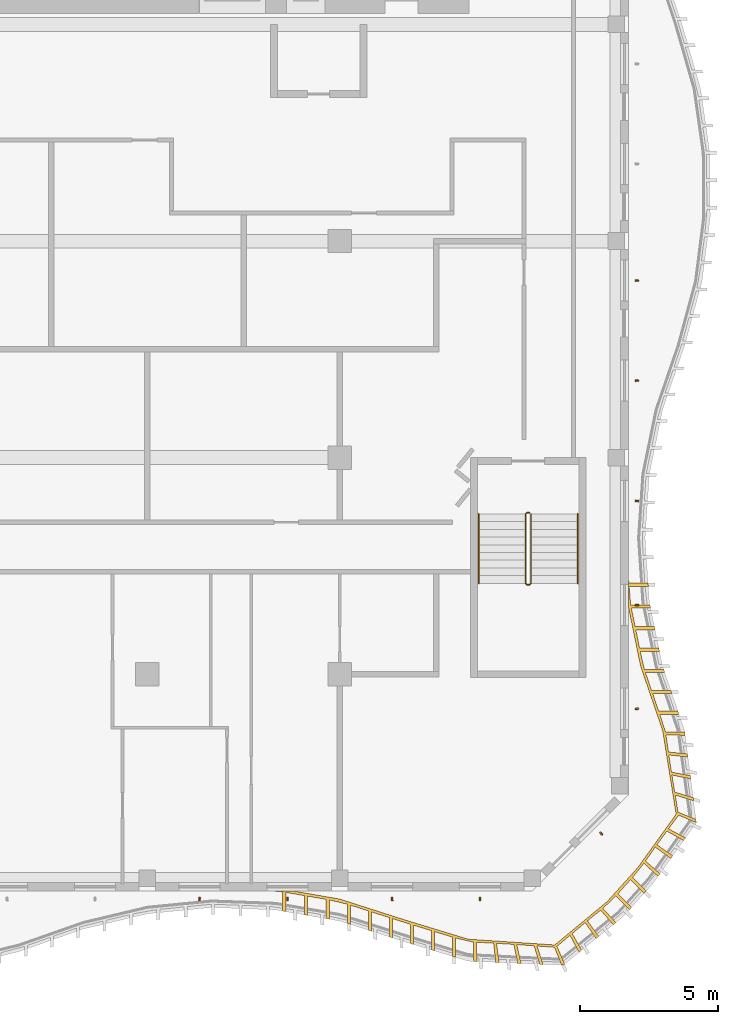
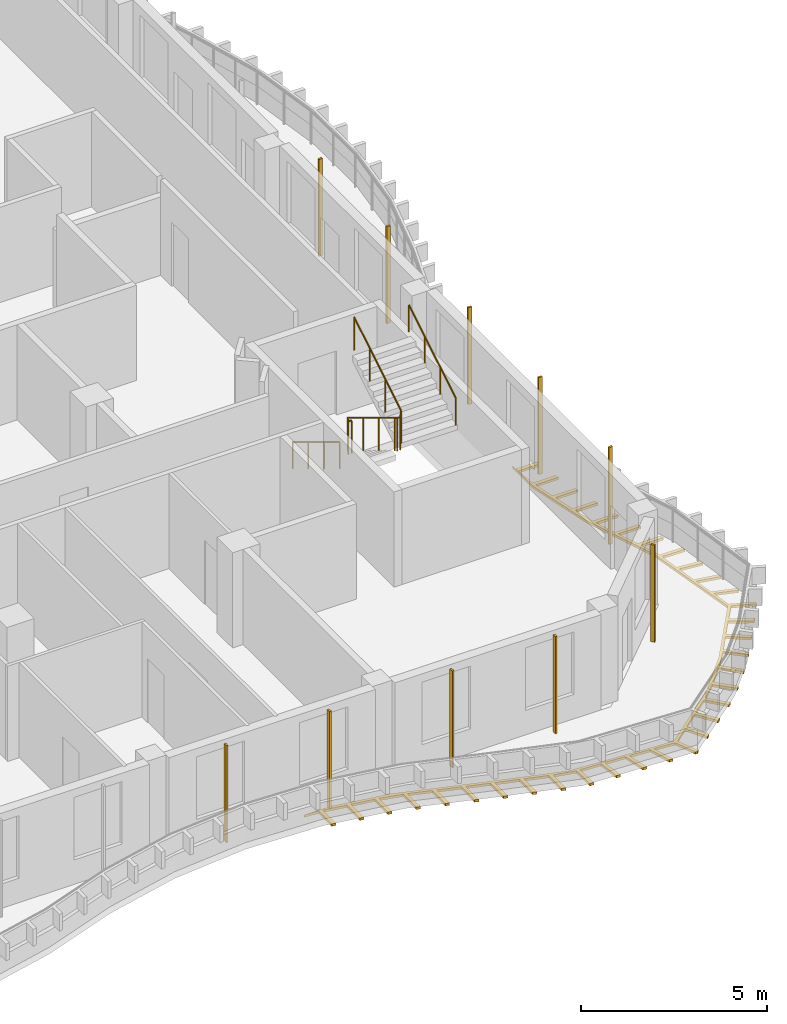
# One storey, part 14 of 17: 11 shading devices, 3 railings.
"""IFC4 building model written with IfcOpenShell, lengths in metres."""

import ifcopenshell
import ifcopenshell.guid

model = None  # the IFC model being written
_history = None  # IfcOwnerHistory: only IFC2X3 demands one
_inside = {}  # id of a spatial element -> (the spatial element, [elements in it])
_under = {}  # id of a project, library or spatial element -> (it, [spatial elements below it])
_declared = {}  # id of a project -> (the project, [libraries it declares])
_typed = {}  # id of a type object -> (the type object, [elements of that type])
_made_of = {}  # id of a material, layer set ... -> (it, [elements and type objects made of it])


def new_model(schema):
    """Start an empty IFC model of exactly this schema.

    Asked for "IFC4X3", IfcOpenShell would pick the latest addendum, in which some entities
    have other attributes; the version numbers below select the first issue.
    IFC2X3 requires an IfcOwnerHistory on every rooted entity: one is made here for all.
    """
    global model, _history
    if schema == "IFC4X3":
        model = ifcopenshell.file(schema_version=(4, 3, 0, 0))
    else:
        model = ifcopenshell.file(schema=schema)
    _inside.clear()
    _under.clear()
    _declared.clear()
    _typed.clear()
    _made_of.clear()
    _history = None
    if model.schema == "IFC2X3":
        org = make("IfcOrganization", Name="unknown")
        user = make(
            "IfcPersonAndOrganization",
            ThePerson=make("IfcPerson", FamilyName="unknown"),
            TheOrganization=org,
        )
        app = make(
            "IfcApplication",
            ApplicationDeveloper=org,
            Version="unknown",
            ApplicationFullName="unknown",
            ApplicationIdentifier="unknown",
        )
        _history = make(
            "IfcOwnerHistory",
            OwningUser=user,
            OwningApplication=app,
            ChangeAction="ADDED",
            CreationDate=0,
        )
    return model


def make(cls, **values):
    """One entity of the class cls with the attributes given. An attribute that is None is left unset."""
    return model.create_entity(
        cls, **{name: value for name, value in values.items() if value is not None}
    )


def rooted(cls, **values):
    """An entity with a GlobalId (a new one), such as an element, a storey or a relation."""
    return make(cls, GlobalId=ifcopenshell.guid.new(), OwnerHistory=_history, **values)


def si_unit(unit_type, name, prefix=None):
    """IfcSIUnit, for example si_unit("LENGTHUNIT", "METRE", prefix="MILLI")."""
    return make("IfcSIUnit", UnitType=unit_type, Prefix=prefix, Name=name)


def assignment(units):
    """IfcUnitAssignment: the units of a project."""
    return None if units is None else make("IfcUnitAssignment", Units=units)


def point(xyz):
    """IfcCartesianPoint."""
    return None if xyz is None else make("IfcCartesianPoint", Coordinates=xyz)


def direction(xyz):
    """IfcDirection."""
    return None if xyz is None else make("IfcDirection", DirectionRatios=xyz)


def frame(location, z_axis=None, x_axis=None):
    """IfcAxis2Placement3D, a coordinate frame: its origin and axes. An axis left out is left unset."""
    return make(
        "IfcAxis2Placement3D",
        Location=point(location),
        Axis=direction(z_axis),
        RefDirection=direction(x_axis),
    )


def frame_2d(location, x_axis=None):
    """IfcAxis2Placement2D, a coordinate frame in the plane: its origin and x axis."""
    return make(
        "IfcAxis2Placement2D", Location=point(location), RefDirection=direction(x_axis)
    )


def origin():
    """The frame at (0, 0, 0) with its axes left unset."""
    return frame((0.0, 0.0, 0.0))


def origin_2d():
    """The frame at (0, 0) in the plane with its x axis left unset."""
    return frame_2d((0.0, 0.0))


def place(relative_to, where):
    """IfcLocalPlacement: puts the frame where relative to a parent placement (None: the world)."""
    return make(
        "IfcLocalPlacement", PlacementRelTo=relative_to, RelativePlacement=where
    )


def context(
    kind, dimensions, precision=None, world=None, true_north=None, identifier=None
):
    """IfcGeometricRepresentationContext, for example the 3D "Model" context."""
    return make(
        "IfcGeometricRepresentationContext",
        ContextIdentifier=identifier,
        ContextType=kind,
        CoordinateSpaceDimension=dimensions,
        Precision=precision,
        WorldCoordinateSystem=world,
        TrueNorth=true_north,
    )


def subcontext(parent, identifier, kind, view, scale=None):
    """IfcGeometricRepresentationSubContext, for example "Body" below "Model"."""
    return make(
        "IfcGeometricRepresentationSubContext",
        ContextIdentifier=identifier,
        ContextType=kind,
        ParentContext=parent,
        TargetScale=scale,
        TargetView=view,
    )


def project(units=None, contexts=None):
    """IfcProject with its units and contexts."""
    return rooted(
        "IfcProject",
        Name="project",
        RepresentationContexts=contexts,
        UnitsInContext=assignment(units),
    )


def spatial(cls, under=None, at=None, **own):
    """A site, building, storey or space (cls), placed at a placement, below another one or the project."""
    s = rooted(cls, ObjectPlacement=at, **own)
    if under is not None:
        _under.setdefault(under.id(), (under, []))[1].append(s)
    return s


def polyline(points):
    """IfcPolyline through the points."""
    return make("IfcPolyline", Points=[point(p) for p in points])


def profile(cls, at=None, kind="AREA", **sizes):
    """A parametric profile (cls). Its sizes go by their IFC names, for example OverallWidth=200.0."""
    return make(cls, ProfileType=kind, Position=at, **sizes)


def rectangle(**sizes):
    """IfcRectangleProfileDef."""
    return profile("IfcRectangleProfileDef", **sizes)


def circle(**sizes):
    """IfcCircleProfileDef."""
    return profile("IfcCircleProfileDef", **sizes)


def outline(outer, holes=None, kind="AREA"):
    """IfcArbitraryClosedProfileDef: a profile drawn as a closed curve; with holes, ...WithVoids."""
    if holes is None:
        return make("IfcArbitraryClosedProfileDef", ProfileType=kind, OuterCurve=outer)
    return make(
        "IfcArbitraryProfileDefWithVoids",
        ProfileType=kind,
        OuterCurve=outer,
        InnerCurves=holes,
    )


def extrude(swept, where, along, depth):
    """IfcExtrudedAreaSolid: the profile swept, set in the frame where, extruded along a direction by depth."""
    return make(
        "IfcExtrudedAreaSolid",
        SweptArea=swept,
        Position=where,
        ExtrudedDirection=direction(along),
        Depth=depth,
    )


def shape(context_of_items, identifier, shape_type, items):
    """IfcShapeRepresentation: the items that make up one representation, for example the "Body"."""
    return make(
        "IfcShapeRepresentation",
        ContextOfItems=context_of_items,
        RepresentationIdentifier=identifier,
        RepresentationType=shape_type,
        Items=items,
    )


def source(mapping_origin, context_of_items, identifier, shape_type, items):
    """IfcRepresentationMap: a shape defined once, which mapped items show again and again."""
    return make(
        "IfcRepresentationMap",
        MappingOrigin=mapping_origin,
        MappedRepresentation=shape(context_of_items, identifier, shape_type, items),
    )


def transform(
    local_origin,
    x_axis=None,
    y_axis=None,
    z_axis=None,
    scale=None,
    scale2=None,
    scale3=None,
    uniform=True,
):
    """IfcCartesianTransformationOperator3D, or its non-uniform kind. x_axis, y_axis, z_axis: its Axis1, 2, 3."""
    if uniform:
        return make(
            "IfcCartesianTransformationOperator3D",
            Axis1=direction(x_axis),
            Axis2=direction(y_axis),
            LocalOrigin=point(local_origin),
            Scale=scale,
            Axis3=direction(z_axis),
        )
    return make(
        "IfcCartesianTransformationOperator3DnonUniform",
        Axis1=direction(x_axis),
        Axis2=direction(y_axis),
        LocalOrigin=point(local_origin),
        Scale=scale,
        Axis3=direction(z_axis),
        Scale2=scale2,
        Scale3=scale3,
    )


def mapped(mapping_source, mapping_target):
    """IfcMappedItem: shows the shape of a source again, moved by a transform."""
    return make(
        "IfcMappedItem", MappingSource=mapping_source, MappingTarget=mapping_target
    )


def material(Name=None, Category=None):
    """IfcMaterial."""
    return make("IfcMaterial", Name=Name, Category=Category)


def layer(
    of_material, thickness, ventilated=None, Name=None, Category=None, Priority=None
):
    """IfcMaterialLayer: one layer of a wall or slab, of a material (None: an air gap)."""
    return make(
        "IfcMaterialLayer",
        Material=of_material,
        LayerThickness=thickness,
        IsVentilated=ventilated,
        Name=Name,
        Category=Category,
        Priority=Priority,
    )


def layer_set(layers, Name=None):
    """IfcMaterialLayerSet."""
    return make("IfcMaterialLayerSet", MaterialLayers=layers, LayerSetName=Name)


def material_profile(
    of_material, cross_section, Name=None, Category=None, Priority=None
):
    """IfcMaterialProfile: a cross section and its material."""
    return make(
        "IfcMaterialProfile",
        Name=Name,
        Material=of_material,
        Profile=cross_section,
        Priority=Priority,
        Category=Category,
    )


def profile_set(profiles, Name=None, composite=None):
    """IfcMaterialProfileSet."""
    return make(
        "IfcMaterialProfileSet",
        Name=Name,
        MaterialProfiles=profiles,
        CompositeProfile=composite,
    )


def made_of(thing, what):
    """Note that an element or type object is made of a material, layer set ...; save() writes the relation."""
    if what is not None:
        _made_of.setdefault(what.id(), (what, []))[1].append(thing)
    return thing


def type_object(cls, material=None, **own):
    """A type object (cls), such as IfcWallType, which elements share."""
    return made_of(rooted(cls, **own), material)


def element(
    cls,
    number,
    at=None,
    inside=None,
    cuts=None,
    type_object=None,
    material=None,
    context=None,
    identifier="Body",
    shape_type=None,
    held_by="IfcProductDefinitionShape",
    body=None,
    shapes=None,
    **own,
):
    """One element of the class cls, such as IfcWall. Its Tag is "e" and its number.

    at: its placement. inside: the storey or other place that contains it. cuts: it is an
    opening in that element (IfcRelVoidsElement). A single representation is given by context,
    identifier, shape_type and body (its items); several are given by shapes. held_by: the class
    of the entity that holds the representations. save() writes the other relations.
    """
    e = rooted(cls, Tag="e%d" % number, ObjectPlacement=at, **own)
    if body is not None:
        shapes = [shape(context, identifier, shape_type, body)]
    if shapes is not None:
        e.Representation = make(held_by, Representations=shapes)
    if inside is not None:
        _inside.setdefault(inside.id(), (inside, []))[1].append(e)
    if cuts is not None:
        rooted(
            "IfcRelVoidsElement", RelatingBuildingElement=cuts, RelatedOpeningElement=e
        )
    if type_object is not None:
        _typed.setdefault(type_object.id(), (type_object, []))[1].append(e)
    return made_of(e, material)


def aggregate(whole, parts):
    """IfcRelAggregates: a whole, such as a stair, and the parts it consists of."""
    return rooted("IfcRelAggregates", RelatingObject=whole, RelatedObjects=parts)


def save(model, path):
    """Write the relations noted so far, then the file.

    IfcRelAggregates (storeys below a building ...), IfcRelContainedInSpatialStructure (elements
    in a storey), IfcRelDefinesByType, IfcRelAssociatesMaterial and IfcRelDeclares: one each for
    every whole, place, type object, material and project.
    """
    for whole, parts in _under.values():
        aggregate(whole, parts)
    for where, things in _inside.values():
        rooted(
            "IfcRelContainedInSpatialStructure",
            RelatedElements=things,
            RelatingStructure=where,
        )
    for kind, things in _typed.values():
        rooted("IfcRelDefinesByType", RelatedObjects=things, RelatingType=kind)
    for what, things in _made_of.values():
        rooted("IfcRelAssociatesMaterial", RelatedObjects=things, RelatingMaterial=what)
    for by, libraries in _declared.values():
        rooted("IfcRelDeclares", RelatingContext=by, RelatedDefinitions=libraries)
    model.write(path)


model = new_model("IFC4")

# Units and contexts
model_context = context("Model", 3, precision=1e-05, world=origin(), true_north=direction((0.0, 1.0)))
body_context = subcontext(model_context, "Body", "Model", "MODEL_VIEW")
ifc_project = project(units=[si_unit("LENGTHUNIT", "METRE"), si_unit("AREAUNIT", "SQUARE_METRE"), si_unit("VOLUMEUNIT", "CUBIC_METRE"), si_unit("PLANEANGLEUNIT", "RADIAN"), si_unit("MASSUNIT", "GRAM", prefix="KILO")], contexts=[model_context])

# Site, building, storey
site_placement = place(None, origin())
site = spatial("IfcSite", under=ifc_project, at=site_placement, CompositionType="ELEMENT")
building_placement = place(site_placement, origin())
building = spatial("IfcBuilding", under=site, at=building_placement, Name="Kilnfold Tower and Market Hall", CompositionType="ELEMENT")
storey_placement = place(building_placement, frame((0.0, 0.0, 308.60009765625)))
storey = spatial("IfcBuildingStorey", under=building, at=storey_placement, Name="L77", CompositionType="ELEMENT", Elevation=308.60009765625)

# Railings
ifc_material_1 = material(Name="Stainless steel 316", Category="steel")
railing_type_1 = type_object("IfcRailingType", Name="CORE STAIR GUARD 1100", PredefinedType="GUARDRAIL", material=ifc_material_1)
railing_1_placement = place(storey_placement, frame((19.89990234375, -9.75, 0.0)))
element("IfcRailing", 1, at=railing_1_placement, inside=storey, type_object=railing_type_1, Name="L77 ST4 stair guard 1", PredefinedType="GUARDRAIL", context=body_context, shape_type="SweptSolid", body=[
    extrude(circle(Radius=0.02392578125, at=origin_2d()), frame((0.0, 0.0, 1.076171875), z_axis=(-1.0, 0.0, 0.0), x_axis=(0.0, -1.0, 0.0)), (0.0, 0.0, 1.0), 0.099853515625),
    extrude(circle(Radius=0.02392578125, at=origin_2d()), frame((-0.099853515625, 0.0, 1.076171875), z_axis=(-0.271895245746, -0.271895245746, 0.923117517265), x_axis=(0.707106781187, -0.707106781187, 0.0)), (0.0, 0.0, 1.0), 0.18408203125),
    extrude(circle(Radius=0.02392578125, at=origin_2d()), frame((-0.14990234375, -0.050048828125, 1.24609375), z_axis=(0.0, -0.85478489116, 0.518982456201), x_axis=(1.0, 0.0, 0.0)), (0.0, 0.0, 1.0), 2.9482421875),
    extrude(circle(Radius=0.02392578125, at=origin_2d()), frame((-0.14990234375, -2.570068359375, 2.77587890625), z_axis=(0.707106781187, -0.707106781187, 0.0), x_axis=(0.707106781187, 0.707106781187, 0.0)), (0.0, 0.0, 1.0), 0.07080078125),
    extrude(circle(Radius=0.02392578125, at=origin_2d()), frame((-0.099853515625, -2.6201171875, 2.77587890625), z_axis=(1.0, 0.0, 0.0), x_axis=(0.0, 1.0, 0.0)), (0.0, 0.0, 1.0), 0.099853515625),
    extrude(circle(Radius=0.02392578125, at=origin_2d()), frame((0.0, -2.6201171875, 2.77587890625), z_axis=(0.271895245746, 0.271895245746, 0.923117517265), x_axis=(-0.707106781187, 0.707106781187, 0.0)), (0.0, 0.0, 1.0), 0.18408203125),
    extrude(circle(Radius=0.02392578125, at=origin_2d()), frame((0.050048828125, -2.570068359375, 2.94580078125), z_axis=(0.0, 0.85478489116, 0.518982456201), x_axis=(-1.0, 0.0, 0.0)), (0.0, 0.0, 1.0), 2.9482421875),
    extrude(circle(Radius=0.02099609375, at=origin_2d()), origin(), (0.0, 0.0, 1.0), 1.052001953125),
    extrude(circle(Radius=0.02099609375, at=origin_2d()), frame((-0.099853515625, 0.0, 0.0)), (0.0, 0.0, 1.0), 1.052001953125),
    extrude(circle(Radius=0.02099609375, at=origin_2d()), frame((-0.14990234375, -0.050048828125, 0.169921875)), (0.0, 0.0, 1.0), 1.052001953125),
    extrude(circle(Radius=0.02099609375, at=origin_2d()), frame((-0.14990234375, -0.89013671875, 0.679931640625)), (0.0, 0.0, 1.0), 1.052001953125),
    extrude(circle(Radius=0.02099609375, at=origin_2d()), frame((-0.14990234375, -1.72998046875, 1.18994140625)), (0.0, 0.0, 1.0), 1.052001953125),
    extrude(circle(Radius=0.02099609375, at=origin_2d()), frame((-0.14990234375, -2.570068359375, 1.699951171875)), (0.0, 0.0, 1.0), 1.052001953125),
    extrude(circle(Radius=0.02099609375, at=origin_2d()), frame((-0.099853515625, -2.6201171875, 1.699951171875)), (0.0, 0.0, 1.0), 1.052001953125),
    extrude(circle(Radius=0.02099609375, at=origin_2d()), frame((0.0, -2.6201171875, 1.699951171875)), (0.0, 0.0, 1.0), 1.052001953125),
    extrude(circle(Radius=0.02099609375, at=origin_2d()), frame((0.050048828125, -2.570068359375, 1.869873046875)), (0.0, 0.0, 1.0), 1.052001953125),
    extrude(circle(Radius=0.02099609375, at=origin_2d()), frame((0.050048828125, -1.72998046875, 2.3798828125)), (0.0, 0.0, 1.0), 1.052001953125),
    extrude(circle(Radius=0.02099609375, at=origin_2d()), frame((0.050048828125, -0.89013671875, 2.889892578125)), (0.0, 0.0, 1.0), 1.052001953125),
    extrude(circle(Radius=0.02099609375, at=origin_2d()), frame((0.050048828125, -0.050048828125, 3.39990234375)), (0.0, 0.0, 1.0), 1.052001953125),
])
ifc_material_2 = material(Name="Stainless steel 316", Category="steel")
railing_type_2 = type_object("IfcRailingType", Name="CORE STAIR HANDRAIL 900", PredefinedType="HANDRAIL", material=ifc_material_2)
railing_2_placement = place(storey_placement, frame((18.050048828125, -9.800048828125, 0.169921875)))
element("IfcRailing", 2, at=railing_2_placement, inside=storey, type_object=railing_type_2, Name="L77 ST4 stair handrail 1", PredefinedType="HANDRAIL", context=body_context, shape_type="SweptSolid", body=[
    extrude(circle(Radius=0.02392578125, at=origin_2d()), frame((0.0, 0.0, 0.8759765625), z_axis=(0.0, -0.85478489116, 0.518982456201), x_axis=(1.0, 0.0, 0.0)), (0.0, 0.0, 1.0), 2.9482421875),
    extrude(circle(Radius=0.02099609375, at=origin_2d()), origin(), (0.0, 0.0, 1.0), 0.851806640625),
    extrude(circle(Radius=0.02099609375, at=origin_2d()), frame((0.0, -0.840087890625, 0.510009765625)), (0.0, 0.0, 1.0), 0.851806640625),
    extrude(circle(Radius=0.02099609375, at=origin_2d()), frame((0.0, -1.679931640625, 1.02001953125)), (0.0, 0.0, 1.0), 0.851806640625),
    extrude(circle(Radius=0.02099609375, at=origin_2d()), frame((0.0, -2.52001953125, 1.530029296875)), (0.0, 0.0, 1.0), 0.851806640625),
])
railing_3_placement = place(storey_placement, frame((21.64990234375, -12.320068359375, 1.869873046875)))
element("IfcRailing", 3, at=railing_3_placement, inside=storey, type_object=railing_type_2, Name="L77 ST4 stair handrail 2", PredefinedType="HANDRAIL", context=body_context, shape_type="SweptSolid", body=[
    extrude(circle(Radius=0.02392578125, at=origin_2d()), frame((0.0, 0.0, 0.8759765625), z_axis=(0.0, 0.85478489116, 0.518982456201), x_axis=(-1.0, 0.0, 0.0)), (0.0, 0.0, 1.0), 2.9482421875),
    extrude(circle(Radius=0.02099609375, at=origin_2d()), origin(), (0.0, 0.0, 1.0), 0.851806640625),
    extrude(circle(Radius=0.02099609375, at=origin_2d()), frame((0.0, 0.840087890625, 0.510009765625)), (0.0, 0.0, 1.0), 0.851806640625),
    extrude(circle(Radius=0.02099609375, at=origin_2d()), frame((0.0, 1.679931640625, 1.02001953125)), (0.0, 0.0, 1.0), 0.851806640625),
    extrude(circle(Radius=0.02099609375, at=origin_2d()), frame((0.0, 2.52001953125, 1.530029296875)), (0.0, 0.0, 1.0), 0.851806640625),
])

# Shading devices
ifc_material_3 = material(Name="Terracotta", Category="masonry")
ifc_material_profile = material_profile(ifc_material_3, rectangle(XDim=0.06005859375, YDim=0.1201171875, at=origin_2d()), Name="BAG 60x120")
ifc_profile_set = profile_set([ifc_material_profile], Name="Terracotta")
shading_device_type_1 = type_object("IfcShadingDeviceType", Name="BAGUETTE", PredefinedType="USERDEFINED", material=ifc_profile_set)
shared_shape_1 = source(origin(), body_context, "Body", "SweptSolid", [
    extrude(rectangle(XDim=0.06005859375, YDim=0.1201171875, at=origin_2d()), origin(), (0.0, 0.0, 1.0), 3.179931640625),
])
for number, where, z_axis, x_axis, name in (
    (4, (7.89990234375, -23.800048828125, 0.0), (0.0, 0.0, 1.0), (0.991295686584, -0.131654326777, 0.0), "Terracotta baguette L77 S"),
    (5, (11.10009765625, -23.800048828125, 0.0), (0.0, 0.0, 1.0), (0.999628175608, 0.0272673895, 0.0), "Terracotta baguette L77 S"),
    (6, (14.89990234375, -23.800048828125, 0.0), (0.0, 0.0, 1.0), (0.991295686584, 0.131654326777, 0.0), "Terracotta baguette L77 S"),
    (7, (18.10009765625, -23.800048828125, 0.0), (0.0, 0.0, 1.0), (0.999628175608, -0.0272673895, 0.0), "Terracotta baguette L77 S"),
    (8, (22.5048828125, -21.419189453125, 0.0), (0.0, 0.0, 1.0), (0.763330570804, 0.646008080195, 0.0), "Terracotta baguette L77 SE"),
    (9, (23.800048828125, -16.8818359375, 0.0), (0.0, 0.0, 1.0), (-0.13905038748, 0.990285307243, 0.0), "Terracotta baguette L77 E"),
    (10, (23.800048828125, -13.1044921875, 0.0), (0.0, 0.0, 1.0), (0.011470052325, 0.999934216786, 0.0), "Terracotta baguette L77 E"),
    (11, (23.800048828125, -9.327392578125, 0.0), (0.0, 0.0, 1.0), (0.136230850049, 0.990677119699, 0.0), "Terracotta baguette L77 E"),
    (12, (23.800048828125, -4.949951171875, 0.0), (0.0, 0.0, 1.0), (-0.078800121131, 0.99689043576, 0.0), "Terracotta baguette L77 E"),
    (13, (23.800048828125, -1.3125, 0.0), (0.0, 0.0, 1.0), (-0.109902584063, 0.993942363528, 0.0), "Terracotta baguette L77 E"),
):
    element("IfcShadingDevice", number, at=place(storey_placement, frame(where, z_axis=z_axis, x_axis=x_axis)), inside=storey, type_object=shading_device_type_1, Name=name, ObjectType="BAGUETTE", PredefinedType="USERDEFINED", context=body_context, shape_type="MappedRepresentation", body=[
        mapped(shared_shape_1, transform((0.0, 0.0, 0.0))),
    ])
ifc_material_4 = material(Name="Bronze anodised aluminium", Category="aluminium")
ifc_layer = layer(ifc_material_4, 0.080078125)
ifc_layer_set = layer_set([ifc_layer], Name="Bronze anodised aluminium")
shading_device_type_2 = type_object("IfcShadingDeviceType", Name="BRONZE SLAT SOFFIT 80", PredefinedType="USERDEFINED", material=ifc_layer_set)
shared_shape_2 = source(origin(), body_context, "Body", "SweptSolid", [
    extrude(outline(polyline([(13.0, -23.799072265625), (15.333251953125, -24.54638671875), (17.666748046875, -25.2578125), (20.81494140625, -25.46728515625), (22.72216796875, -23.888916015625), (23.827880859375, -22.6611328125), (25.226318359375, -20.715087890625), (24.735595703125, -17.666748046875), (23.934326171875, -15.333251953125), (23.5, -13.215576171875), (23.5, -12.164306640625), (23.510009765625, -12.313232421875), (24.2099609375, -12.313232421875), (24.218017578125, -12.432861328125), (23.517822265625, -12.432861328125), (23.578125, -13.109375), (24.2783203125, -13.109375), (24.30224609375, -13.226806640625), (23.602294921875, -13.226806640625), (23.739013671875, -13.89306640625), (24.43896484375, -13.89306640625), (24.462890625, -14.010498046875), (23.762939453125, -14.010498046875), (23.899658203125, -14.6767578125), (24.599609375, -14.6767578125), (24.623779296875, -14.794189453125), (23.923828125, -14.794189453125), (24.076416015625, -15.4560546875), (24.7763671875, -15.4560546875), (24.8154296875, -15.569580078125), (24.115478515625, -15.569580078125), (24.336181640625, -16.212646484375), (25.0361328125, -16.212646484375), (25.0751953125, -16.326171875), (24.375244140625, -16.326171875), (24.595947265625, -16.96923828125), (25.2958984375, -16.96923828125), (25.3349609375, -17.082763671875), (24.635009765625, -17.082763671875), (24.843505859375, -17.723876953125), (25.54345703125, -17.728759765625), (25.55859375, -17.847900390625), (24.85888671875, -17.833251953125), (24.948486328125, -18.452880859375), (25.64501953125, -18.5224609375), (25.660400390625, -18.641357421875), (24.96484375, -18.562255859375), (25.059814453125, -19.181640625), (25.746826171875, -19.31591796875), (25.76220703125, -19.434814453125), (25.076904296875, -19.291015625), (25.177001953125, -19.911376953125), (25.848388671875, -20.109375), (25.86376953125, -20.228515625), (25.1953125, -20.02099609375), (25.2998046875, -20.643798828125), (25.9501953125, -20.90283203125), (25.96533203125, -21.021240234375), (25.318115234375, -20.75390625), (24.952880859375, -21.245849609375), (25.5703125, -21.57568359375), (25.50048828125, -21.67333984375), (24.888916015625, -21.332763671875), (24.53125, -21.827392578125), (25.10595703125, -22.22705078125), (25.036376953125, -22.32470703125), (24.46875, -21.9150390625), (24.117431640625, -22.414794921875), (24.6416015625, -22.878662109375), (24.572021484375, -22.976318359375), (24.055908203125, -22.50341796875), (23.6494140625, -23.008544921875), (24.144287109375, -23.50341796875), (24.064208984375, -23.5927734375), (23.569091796875, -23.09765625), (23.114013671875, -23.60302734375), (23.60888671875, -24.097900390625), (23.52880859375, -24.18701171875), (23.03369140625, -23.692138671875), (22.56640625, -24.139404296875), (23.038818359375, -24.65576171875), (22.945556640625, -24.731201171875), (22.481689453125, -24.20703125), (22.005615234375, -24.59228515625), (22.416748046875, -25.15869140625), (22.323486328125, -25.234130859375), (21.921875, -24.660888671875), (21.450439453125, -25.05224609375), (21.794677734375, -25.66162109375), (21.701416015625, -25.7373046875), (21.36767578125, -25.121826171875), (20.898681640625, -25.5205078125), (21.172607421875, -26.164794921875), (21.12109375, -26.206298828125), (21.0673828125, -26.2041015625), (20.80322265625, -25.555908203125), (20.17431640625, -25.50830078125), (20.387939453125, -26.1748046875), (20.26806640625, -26.169677734375), (20.0634765625, -25.500244140625), (19.436767578125, -25.45703125), (19.588623046875, -26.140380859375), (19.46875, -26.13525390625), (19.326416015625, -25.449951171875), (18.700927734375, -25.41162109375), (18.78955078125, -26.10595703125), (18.669677734375, -26.100830078125), (18.590576171875, -25.4052734375), (17.96484375, -25.3720703125), (17.990234375, -26.071533203125), (17.870361328125, -26.06640625), (17.8544921875, -25.36669921875), (17.211181640625, -25.21875), (17.211181640625, -25.918701171875), (17.096435546875, -25.8837890625), (17.096435546875, -25.183837890625), (16.446044921875, -24.985595703125), (16.446044921875, -25.685546875), (16.331298828125, -25.650634765625), (16.331298828125, -24.95068359375), (15.6806640625, -24.752197265625), (15.6806640625, -25.452392578125), (15.56591796875, -25.417236328125), (15.56591796875, -24.71728515625), (14.917236328125, -24.51318359375), (14.917236328125, -25.213134765625), (14.802978515625, -25.176513671875), (14.802978515625, -24.4765625), (14.155517578125, -24.269287109375), (14.155517578125, -24.96923828125), (14.041259765625, -24.9326171875), (14.041259765625, -24.232666015625), (13.3935546875, -24.025146484375), (13.3935546875, -24.72509765625), (13.279296875, -24.6884765625), (13.279296875, -23.988525390625), (12.618896484375, -23.8330078125), (12.618896484375, -24.532958984375), (12.500732421875, -24.512451171875), (12.500732421875, -23.8125), (11.830810546875, -23.696044921875), (11.830810546875, -24.39599609375), (11.71240234375, -24.37548828125), (11.71240234375, -23.675537109375), (11.04248046875, -23.55908203125), (11.04248046875, -24.25927734375), (10.92431640625, -24.238525390625), (10.92431640625, -23.53857421875), (10.489990234375, -23.5), (11.277587890625, -23.5), (13.0, -23.799072265625)])), origin(), (0.0, 0.0, 1.0), 0.079833984375),
])
shading_device_placement = place(storey_placement, frame((0.0, 0.0, -0.300048828125)))
element("IfcShadingDevice", 14, at=shading_device_placement, inside=storey, type_object=shading_device_type_2, Name="Balcony soffit slats L77", ObjectType="SLAT", PredefinedType="USERDEFINED", context=body_context, shape_type="MappedRepresentation", body=[
    mapped(shared_shape_2, transform((0.0, 0.0, 0.0))),
])

save(model, "model.ifc")
